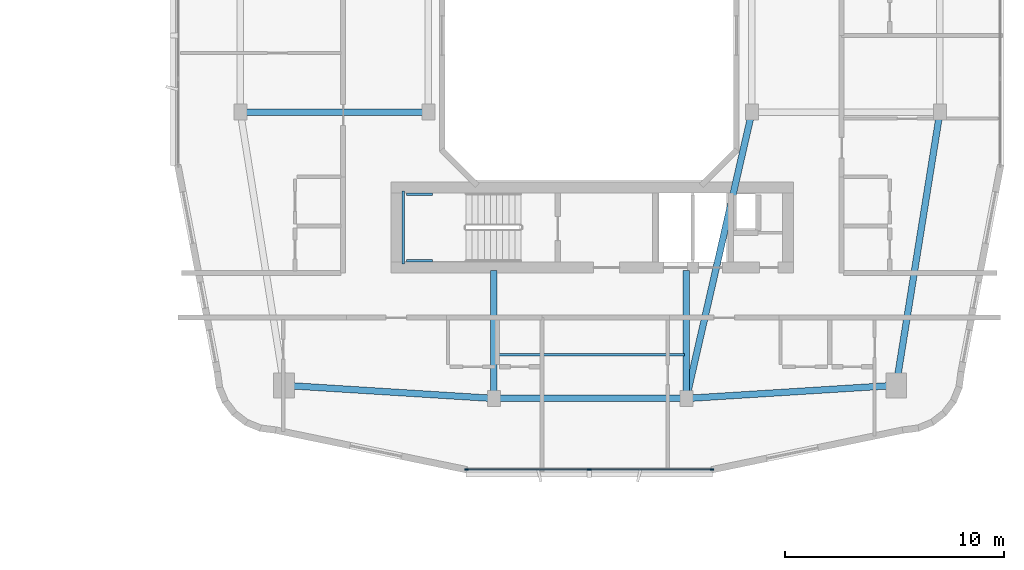
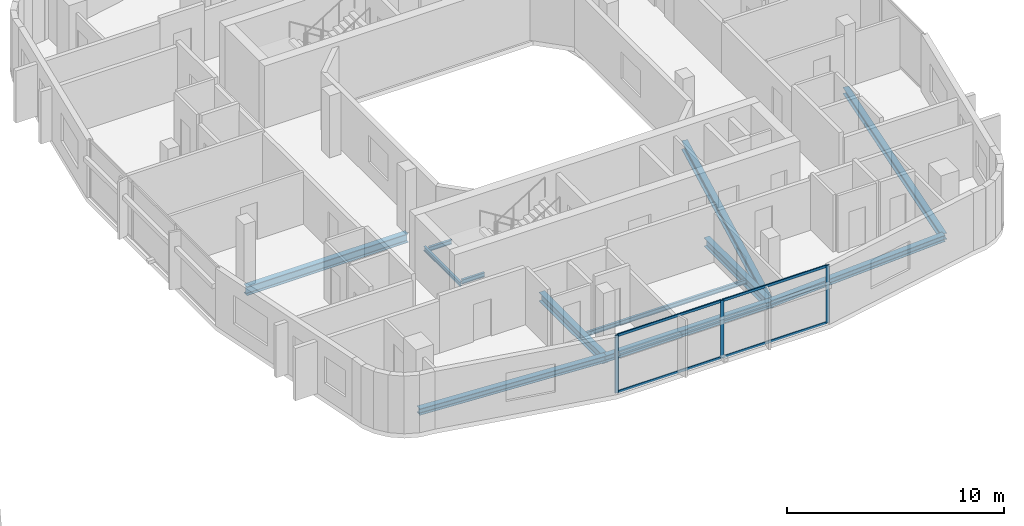
# One storey, part 8 of 27: 12 beams, 7 members, 1 element without a shape of its own.
"""IFC4 building model written with IfcOpenShell, lengths in metres."""

from ifc_helpers import new_model, si_unit, derived_unit, direction, frame, origin, origin_2d, place, context, subcontext, project, spatial, rectangle, i_section, extrude, material, layer, layer_set, material_profile, profile_set, type_object, element, aggregate, save


model = new_model("IFC4")

# Units and contexts
model_context = context("Model", 3, precision=1e-05, world=origin(), true_north=direction((0.0, 1.0)))
body_context = subcontext(model_context, "Body", "Model", "MODEL_VIEW")
ifc_project = project(units=[si_unit("LENGTHUNIT", "METRE"), si_unit("AREAUNIT", "SQUARE_METRE"), si_unit("VOLUMEUNIT", "CUBIC_METRE"), si_unit("PLANEANGLEUNIT", "RADIAN"), si_unit("MASSUNIT", "GRAM", prefix="KILO"), derived_unit("THERMALTRANSMITTANCEUNIT", [(si_unit("POWERUNIT", "WATT"), 1), (si_unit("LENGTHUNIT", "METRE"), -2), (si_unit("THERMODYNAMICTEMPERATUREUNIT", "KELVIN"), -1)])], contexts=[model_context])

# Site, building, storey
site_placement = place(None, origin())
site = spatial("IfcSite", under=ifc_project, at=site_placement, CompositionType="ELEMENT")
building_placement = place(site_placement, origin())
building = spatial("IfcBuilding", under=site, at=building_placement, Name="Kivonza Crest Hotel", CompositionType="ELEMENT")
storey_placement = place(building_placement, frame((0.0, 0.0, 76.5)))
storey = spatial("IfcBuildingStorey", under=building, at=storey_placement, Name="L20", CompositionType="ELEMENT", Elevation=76.5)

# Beams
ifc_material_1 = material(Name="Steel S355", Category="steel")
ifc_material_profile_1 = material_profile(ifc_material_1, i_section(OverallWidth=0.300048828125, OverallDepth=0.360107421875, WebThickness=0.012451171875, FlangeThickness=0.0224609375, FilletRadius=0.027099609375, at=origin_2d()), Name="HEB 360")
ifc_profile_set_1 = profile_set([ifc_material_profile_1], Name="Steel S355")
beam_type_1 = type_object("IfcBeamType", Name="BM-HEB360", PredefinedType="SPANDREL", material=ifc_profile_set_1)
beam_1_placement = place(storey_placement, frame((72.60009765625, 8.39990234375, -0.429931640625), z_axis=(1.0, 0.0, 0.0), x_axis=(0.0, 1.0, 0.0)))
element("IfcBeam", 1, at=beam_1_placement, inside=storey, type_object=beam_type_1, Name="Companion Tower T2 L20 perimeter spandrel S1-S2", PredefinedType="SPANDREL", context=body_context, shape_type="SweptSolid", body=[
    extrude(i_section(OverallWidth=0.300048828125, OverallDepth=0.360107421875, WebThickness=0.012451171875, FlangeThickness=0.0224609375, FilletRadius=0.027099609375, at=origin_2d()), origin(), (0.0, 0.0, 1.0), 8.7998046875),
])
beam_2_placement = place(storey_placement, frame((81.39990234375, 8.39990234375, -0.429931640625), z_axis=(0.998051985873, 0.062387767186, 0.0), x_axis=(-0.062387767186, 0.998051985873, 0.0)))
element("IfcBeam", 2, at=beam_2_placement, inside=storey, type_object=beam_type_1, Name="Companion Tower T2 L20 perimeter spandrel S2-SE", PredefinedType="SPANDREL", context=body_context, shape_type="SweptSolid", body=[
    extrude(i_section(OverallWidth=0.300048828125, OverallDepth=0.360107421875, WebThickness=0.012451171875, FlangeThickness=0.0224609375, FilletRadius=0.027099609375, at=origin_2d()), origin(), (0.0, 0.0, 1.0), 9.618896484375),
])
beam_3_placement = place(storey_placement, frame((91.0, 9.0, -0.429931640625), z_axis=(0.157990501107, 0.987440631917, 0.0), x_axis=(-0.987440631917, 0.157990501107, 0.0)))
element("IfcBeam", 3, at=beam_3_placement, inside=storey, type_object=beam_type_1, Name="Companion Tower T2 L20 perimeter spandrel SE-E1", PredefinedType="SPANDREL", context=body_context, shape_type="SweptSolid", body=[
    extrude(i_section(OverallWidth=0.300048828125, OverallDepth=0.360107421875, WebThickness=0.012451171875, FlangeThickness=0.0224609375, FilletRadius=0.027099609375, at=origin_2d()), origin(), (0.0, 0.0, 1.0), 12.658935546875),
])
beam_4_placement = place(storey_placement, frame((63.0, 9.0, -0.429931640625), z_axis=(0.998051985873, -0.062387767186, 0.0), x_axis=(0.062387767186, 0.998051985873, 0.0)))
element("IfcBeam", 4, at=beam_4_placement, inside=storey, type_object=beam_type_1, Name="Companion Tower T2 L20 perimeter spandrel SW-S1", PredefinedType="SPANDREL", context=body_context, shape_type="SweptSolid", body=[
    extrude(i_section(OverallWidth=0.300048828125, OverallDepth=0.360107421875, WebThickness=0.012451171875, FlangeThickness=0.0224609375, FilletRadius=0.027099609375, at=origin_2d()), origin(), (0.0, 0.0, 1.0), 9.618896484375),
])
ifc_material_profile_2 = material_profile(ifc_material_1, i_section(OverallWidth=0.300048828125, OverallDepth=0.5, WebThickness=0.014404296875, FlangeThickness=0.028076171875, FilletRadius=0.027099609375, at=origin_2d()), Name="HEB 500")
ifc_profile_set_2 = profile_set([ifc_material_profile_2], Name="Steel S355")
beam_type_2 = type_object("IfcBeamType", Name="BM-HEB500", PredefinedType="BEAM", material=ifc_profile_set_2)
beam_5_placement = place(storey_placement, frame((61.0, 21.5, -0.5), z_axis=(1.0, 0.0, 0.0), x_axis=(0.0, 1.0, 0.0)))
element("IfcBeam", 5, at=beam_5_placement, inside=storey, type_object=beam_type_2, Name="Companion Tower T2 L20 girder W1-WL1", PredefinedType="BEAM", context=body_context, shape_type="SweptSolid", body=[
    extrude(i_section(OverallWidth=0.300048828125, OverallDepth=0.5, WebThickness=0.014404296875, FlangeThickness=0.028076171875, FilletRadius=0.027099609375, at=origin_2d()), origin(), (0.0, 0.0, 1.0), 8.60009765625),
])
beam_6_placement = place(storey_placement, frame((84.39990234375, 21.5, -0.5), z_axis=(-0.223227287589, -0.974766422317, 0.0), x_axis=(0.974766422317, -0.223227287589, 0.0)))
element("IfcBeam", 6, at=beam_6_placement, inside=storey, type_object=beam_type_2, Name="Companion Tower T2 L20 girder WR1-S2", PredefinedType="BEAM", context=body_context, shape_type="SweptSolid", body=[
    extrude(i_section(OverallWidth=0.300048828125, OverallDepth=0.5, WebThickness=0.014404296875, FlangeThickness=0.028076171875, FilletRadius=0.027099609375, at=origin_2d()), origin(), (0.0, 0.0, 1.0), 13.439208984375),
])
for number, where, z_axis, x_axis, name in (
    (7, (72.60009765625, 8.39990234375, -0.5), (0.0, 1.0, 0.0), (-1.0, 0.0, 0.0), "Companion T2 L20 radial core girder RS1"),
    (8, (81.39990234375, 8.39990234375, -0.5), (0.0, 1.0, 0.0), (-1.0, 0.0, 0.0), "Companion T2 L20 radial core girder RS2"),
):
    element("IfcBeam", number, at=place(storey_placement, frame(where, z_axis=z_axis, x_axis=x_axis)), inside=storey, type_object=beam_type_2, Name=name, PredefinedType="BEAM", context=body_context, shape_type="SweptSolid", body=[
        extrude(i_section(OverallWidth=0.300048828125, OverallDepth=0.5, WebThickness=0.014404296875, FlangeThickness=0.028076171875, FilletRadius=0.027099609375, at=origin_2d()), origin(), (0.0, 0.0, 1.0), 5.85009765625),
    ])
ifc_material_profile_3 = material_profile(ifc_material_1, i_section(OverallWidth=0.1201171875, OverallDepth=0.239990234375, WebThickness=0.006103515625, FlangeThickness=0.009765625, FilletRadius=0.014892578125, at=origin_2d()), Name="IPE 240")
ifc_profile_set_3 = profile_set([ifc_material_profile_3], Name="Steel S355")
beam_type_3 = type_object("IfcBeamType", Name="BM-IPE240", PredefinedType="JOIST", material=ifc_profile_set_3)
beam_7_placement = place(storey_placement, frame((72.679931640625, 10.39990234375, -0.3701171875), z_axis=(1.0, 0.0, 0.0), x_axis=(0.0, 1.0, 0.0)))
element("IfcBeam", 9, at=beam_7_placement, inside=storey, type_object=beam_type_3, Name="Companion Tower T2 L20 South floor joist", PredefinedType="JOIST", context=body_context, shape_type="SweptSolid", body=[
    extrude(i_section(OverallWidth=0.1201171875, OverallDepth=0.239990234375, WebThickness=0.006103515625, FlangeThickness=0.009765625, FilletRadius=0.014892578125, at=origin_2d()), origin(), (0.0, 0.0, 1.0), 8.64013671875),
])
ifc_material_profile_4 = material_profile(ifc_material_1, i_section(OverallWidth=0.1201171875, OverallDepth=0.239990234375, WebThickness=0.006103515625, FlangeThickness=0.009765625, FilletRadius=0.014892578125, at=origin_2d()), Name="IPE 240")
ifc_profile_set_4 = profile_set([ifc_material_profile_4], Name="Steel S355")
beam_type_4 = type_object("IfcBeamType", Name="BM-LLDG-240", PredefinedType="BEAM", material=ifc_profile_set_4)
beam_8_placement = place(storey_placement, frame((68.4599609375, 14.5400390625, 1.429931640625), z_axis=(0.0, 1.0, 0.0), x_axis=(-1.0, 0.0, 0.0)))
element("IfcBeam", 10, at=beam_8_placement, inside=storey, type_object=beam_type_4, Name="Stair ST-T2-S L20 West landing corbel", PredefinedType="BEAM", context=body_context, shape_type="SweptSolid", body=[
    extrude(i_section(OverallWidth=0.1201171875, OverallDepth=0.239990234375, WebThickness=0.006103515625, FlangeThickness=0.009765625, FilletRadius=0.014892578125, at=origin_2d()), origin(), (0.0, 0.0, 1.0), 3.35986328125),
])
for number, where, z_axis, x_axis, name in (
    (11, (68.590087890625, 14.699951171875, 1.429931640625), (1.0, 0.0, 0.0), (0.0, 1.0, 0.0), "Stair ST-T2-S L20 South landing corbel"),
    (12, (68.590087890625, 17.739990234375, 1.429931640625), (1.0, 0.0, 0.0), (0.0, 1.0, 0.0), "Stair ST-T2-S L20 North landing corbel"),
):
    element("IfcBeam", number, at=place(storey_placement, frame(where, z_axis=z_axis, x_axis=x_axis)), inside=storey, type_object=beam_type_4, Name=name, PredefinedType="BEAM", context=body_context, shape_type="SweptSolid", body=[
        extrude(i_section(OverallWidth=0.1201171875, OverallDepth=0.239990234375, WebThickness=0.006103515625, FlangeThickness=0.009765625, FilletRadius=0.014892578125, at=origin_2d()), origin(), (0.0, 0.0, 1.0), 1.2099609375),
    ])

# Curtain wall, members
ifc_material_2 = material(Name="Anodised bronze aluminium and low-E double glazing", Category="aluminium")
ifc_layer = layer(ifc_material_2, 0.179931640625)
ifc_layer_set = layer_set([ifc_layer], Name="Anodised bronze aluminium and low-E double glazing")
curtain_wall_type = type_object("IfcCurtainWallType", Name="CW-SYS-4", PredefinedType="NOTDEFINED", material=ifc_layer_set)
curtain_wall_placement = place(storey_placement, origin())
curtain_wall = element("IfcCurtainWall", 13, at=curtain_wall_placement, inside=storey, type_object=curtain_wall_type, Name="L20 unitised curtain wall CW-T2-L20-08", PredefinedType="NOTDEFINED")
ifc_material_3 = material(Name="Anodised bronze aluminium", Category="aluminium")
ifc_material_profile_5 = material_profile(ifc_material_3, rectangle(XDim=0.06494140625, YDim=0.179931640625, at=origin_2d()), Name="CW-M 65x180")
ifc_profile_set_5 = profile_set([ifc_material_profile_5], Name="Anodised bronze aluminium")
member_type_1 = type_object("IfcMemberType", Name="CW-MUL-65x180", PredefinedType="MULLION", material=ifc_profile_set_5)
member_1_placement = place(storey_placement, frame((71.344482421875, 5.159912109375, 0.0), z_axis=(0.0, 0.0, 1.0), x_axis=(0.0, 1.0, 0.0)))
member_1 = element("IfcMember", 14, at=member_1_placement, type_object=member_type_1, Name="CW-4 mullion 1", PredefinedType="MULLION", context=body_context, shape_type="SweptSolid", body=[
    extrude(rectangle(XDim=0.06494140625, YDim=0.179931640625, at=origin_2d()), origin(), (0.0, 0.0, 1.0), 3.25),
])
member_2_placement = place(storey_placement, frame((76.9599609375, 5.159912109375, 0.0), z_axis=(0.0, 0.0, 1.0), x_axis=(0.0, 1.0, 0.0)))
member_2 = element("IfcMember", 15, at=member_2_placement, type_object=member_type_1, Name="CW-4 mullion 2", PredefinedType="MULLION", context=body_context, shape_type="SweptSolid", body=[
    extrude(rectangle(XDim=0.06494140625, YDim=0.179931640625, at=origin_2d()), origin(), (0.0, 0.0, 1.0), 3.25),
])
member_3_placement = place(storey_placement, frame((82.575439453125, 5.159912109375, 0.0), z_axis=(0.0, 0.0, 1.0), x_axis=(0.0, 1.0, 0.0)))
member_3 = element("IfcMember", 16, at=member_3_placement, type_object=member_type_1, Name="CW-4 mullion 3", PredefinedType="MULLION", context=body_context, shape_type="SweptSolid", body=[
    extrude(rectangle(XDim=0.06494140625, YDim=0.179931640625, at=origin_2d()), origin(), (0.0, 0.0, 1.0), 3.25),
])
ifc_material_profile_6 = material_profile(ifc_material_3, rectangle(XDim=0.06494140625, YDim=0.139892578125, at=origin_2d()), Name="CW-T 65x140")
ifc_profile_set_6 = profile_set([ifc_material_profile_6], Name="Anodised bronze aluminium")
member_type_2 = type_object("IfcMemberType", Name="CW-TRN-65x140", PredefinedType="USERDEFINED", material=ifc_profile_set_6)
member_4_placement = place(storey_placement, frame((71.376953125, 5.159912109375, 0.032470703125), z_axis=(1.0, 0.0, 0.0), x_axis=(0.0, 1.0, 0.0)))
member_4 = element("IfcMember", 17, at=member_4_placement, type_object=member_type_2, Name="CW-4 transom 1.1", ObjectType="TRANSOM", PredefinedType="USERDEFINED", context=body_context, shape_type="SweptSolid", body=[
    extrude(rectangle(XDim=0.06494140625, YDim=0.139892578125, at=origin_2d()), origin(), (0.0, 0.0, 1.0), 5.550537109375),
])
member_5_placement = place(storey_placement, frame((71.376953125, 5.159912109375, 3.217529296875), z_axis=(1.0, 0.0, 0.0), x_axis=(0.0, 1.0, 0.0)))
member_5 = element("IfcMember", 18, at=member_5_placement, type_object=member_type_2, Name="CW-4 transom 1.2", ObjectType="TRANSOM", PredefinedType="USERDEFINED", context=body_context, shape_type="SweptSolid", body=[
    extrude(rectangle(XDim=0.06494140625, YDim=0.139892578125, at=origin_2d()), origin(), (0.0, 0.0, 1.0), 5.550537109375),
])
member_6_placement = place(storey_placement, frame((76.992431640625, 5.159912109375, 0.032470703125), z_axis=(1.0, 0.0, 0.0), x_axis=(0.0, 1.0, 0.0)))
member_6 = element("IfcMember", 19, at=member_6_placement, type_object=member_type_2, Name="CW-4 transom 2.1", ObjectType="TRANSOM", PredefinedType="USERDEFINED", context=body_context, shape_type="SweptSolid", body=[
    extrude(rectangle(XDim=0.06494140625, YDim=0.139892578125, at=origin_2d()), origin(), (0.0, 0.0, 1.0), 5.550537109375),
])
member_7_placement = place(storey_placement, frame((76.992431640625, 5.159912109375, 3.217529296875), z_axis=(1.0, 0.0, 0.0), x_axis=(0.0, 1.0, 0.0)))
member_7 = element("IfcMember", 20, at=member_7_placement, type_object=member_type_2, Name="CW-4 transom 2.2", ObjectType="TRANSOM", PredefinedType="USERDEFINED", context=body_context, shape_type="SweptSolid", body=[
    extrude(rectangle(XDim=0.06494140625, YDim=0.139892578125, at=origin_2d()), origin(), (0.0, 0.0, 1.0), 5.550537109375),
])
aggregate(curtain_wall, [member_1, member_2, member_3, member_4, member_5, member_6, member_7])

save(model, "model.ifc")
